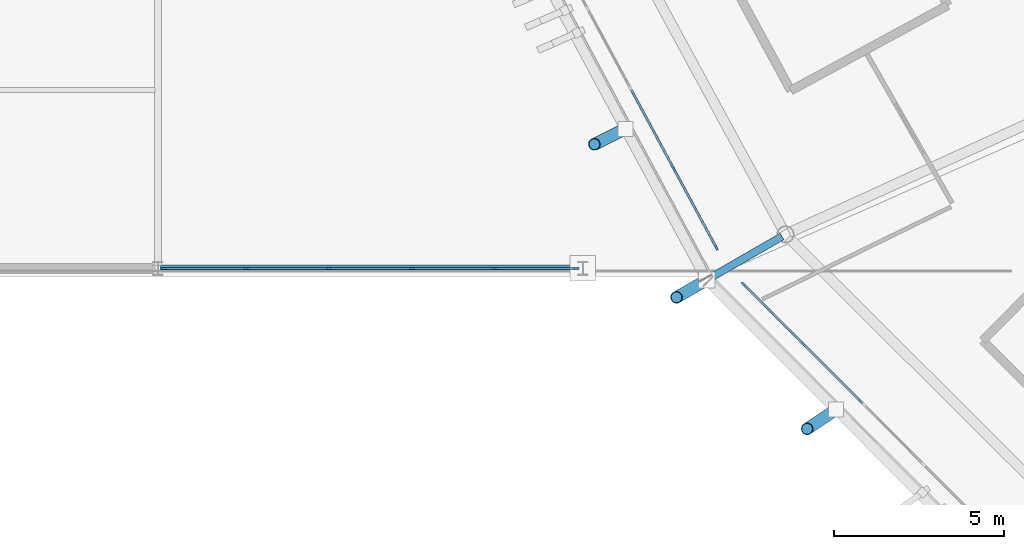
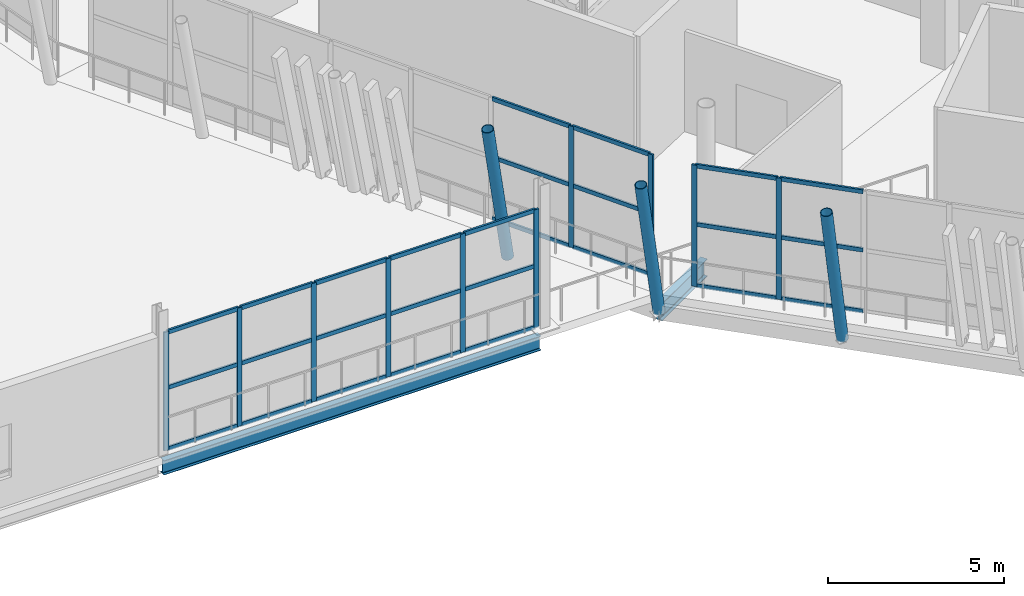
# One storey, part 27 of 179: 40 members, 2 beams, 3 elements without a shape of their own.
"""IFC4 building model written with IfcOpenShell, lengths in metres."""

from ifc_helpers import new_model, si_unit, direction, frame, origin, origin_2d, place, context, subcontext, project, spatial, rectangle, hollow_circle, i_section, extrude, material, material_profile, profile_set, type_object, element, aggregate, save


model = new_model("IFC4")

# Units and contexts
model_context = context("Model", 3, precision=1e-05, world=origin(), true_north=direction((0.0, 1.0)))
body_context = subcontext(model_context, "Body", "Model", "MODEL_VIEW")
ifc_project = project(units=[si_unit("LENGTHUNIT", "METRE"), si_unit("AREAUNIT", "SQUARE_METRE"), si_unit("VOLUMEUNIT", "CUBIC_METRE"), si_unit("PLANEANGLEUNIT", "RADIAN"), si_unit("MASSUNIT", "GRAM", prefix="KILO")], contexts=[model_context])

# Site, building, storey
site_placement = place(None, origin())
site = spatial("IfcSite", under=ifc_project, at=site_placement, CompositionType="ELEMENT")
building_placement = place(site_placement, origin())
building = spatial("IfcBuilding", under=site, at=building_placement, Name="Zlatoyarsky Gate Stadium", CompositionType="ELEMENT")
storey_placement = place(building_placement, frame((0.0, 0.0, 10.60009765625)))
storey = spatial("IfcBuildingStorey", under=building, at=storey_placement, Name="L02", CompositionType="ELEMENT", Elevation=10.60009765625)

# Curtain wall, members
ifc_material_1 = material(Name="Thermally broken anodised aluminium curtain wall", Category="aluminium")
curtain_wall_type_1 = type_object("IfcCurtainWallType", Name="UNITISED HOSPITALITY GLAZING L02", PredefinedType="USERDEFINED", material=ifc_material_1)
curtain_wall_1_placement = place(storey_placement, origin())
curtain_wall_1 = element("IfcCurtainWall", 1, at=curtain_wall_1_placement, inside=storey, type_object=curtain_wall_type_1, Name="Curtain wall CW-L02-13", ObjectType="UNITISED GLAZING", PredefinedType="USERDEFINED")
ifc_material_2 = material(Name="Anodised aluminium 6063-T6", Category="aluminium")
ifc_material_profile_1 = material_profile(ifc_material_2, rectangle(XDim=0.06494140625, YDim=0.159912109375, at=origin_2d()), Name="ALU 65X160")
ifc_profile_set_1 = profile_set([ifc_material_profile_1], Name="Anodised aluminium 6063-T6")
member_type_1 = type_object("IfcMemberType", Name="ALUMINIUM MULLION 65X160", PredefinedType="MULLION", material=ifc_profile_set_1)
member_1_placement = place(storey_placement, frame((27.1728515625, 46.43505859375, 0.0), z_axis=(0.0, 0.0, 1.0), x_axis=(0.880235853856, 0.474536449165, 0.0)))
member_1 = element("IfcMember", 2, at=member_1_placement, type_object=member_type_1, Name="CW-UG2 mullion 7", PredefinedType="MULLION", context=body_context, shape_type="SweptSolid", body=[
    extrude(rectangle(XDim=0.06494140625, YDim=0.159912109375, at=origin_2d()), origin(), (0.0, 0.0, 1.0), 4.199951171875),
])
member_2_placement = place(storey_placement, frame((28.424560546875, 44.11279296875, 0.0), z_axis=(0.0, 0.0, 1.0), x_axis=(0.880235853856, 0.474536449165, 0.0)))
member_2 = element("IfcMember", 3, at=member_2_placement, type_object=member_type_1, Name="CW-UG2 mullion 8", PredefinedType="MULLION", context=body_context, shape_type="SweptSolid", body=[
    extrude(rectangle(XDim=0.06494140625, YDim=0.159912109375, at=origin_2d()), origin(), (0.0, 0.0, 1.0), 4.199951171875),
])

curtain_wall_2_placement = place(storey_placement, origin())
curtain_wall_2 = element("IfcCurtainWall", 4, at=curtain_wall_2_placement, inside=storey, type_object=curtain_wall_type_1, Name="Curtain wall CW-L02-14", ObjectType="UNITISED GLAZING", PredefinedType="USERDEFINED")
member_3_placement = place(storey_placement, frame((29.230712890625, 43.029296875, 0.0), z_axis=(0.0, 0.0, 1.0), x_axis=(0.707587678066, 0.706625557031, 0.0)))
member_3 = element("IfcMember", 5, at=member_3_placement, type_object=member_type_1, Name="CW-UG2 mullion 1", PredefinedType="MULLION", context=body_context, shape_type="SweptSolid", body=[
    extrude(rectangle(XDim=0.06494140625, YDim=0.159912109375, at=origin_2d()), origin(), (0.0, 0.0, 1.0), 4.199951171875),
])
member_4_placement = place(storey_placement, frame((30.979736328125, 41.27783203125, 0.0), z_axis=(0.0, 0.0, 1.0), x_axis=(0.707587678066, 0.706625557031, 0.0)))
member_4 = element("IfcMember", 6, at=member_4_placement, type_object=member_type_1, Name="CW-UG2 mullion 2", PredefinedType="MULLION", context=body_context, shape_type="SweptSolid", body=[
    extrude(rectangle(XDim=0.06494140625, YDim=0.159912109375, at=origin_2d()), origin(), (0.0, 0.0, 1.0), 4.199951171875),
])

curtain_wall_type_2 = type_object("IfcCurtainWallType", Name="WINTER GARDEN CONSERVATORY GLAZING", PredefinedType="USERDEFINED", material=ifc_material_1)
curtain_wall_3_placement = place(storey_placement, origin())
curtain_wall_3 = element("IfcCurtainWall", 7, at=curtain_wall_3_placement, inside=storey, type_object=curtain_wall_type_2, Name="Curtain wall CW-V4_WEST-L02-175", ObjectType="UNITISED GLAZING", PredefinedType="USERDEFINED")
member_5_placement = place(storey_placement, frame((12.194580078125, 43.5, 0.0), z_axis=(0.0, 0.0, 1.0), x_axis=(0.0, 1.0, 0.0)))
member_5 = element("IfcMember", 8, at=member_5_placement, type_object=member_type_1, Name="CW-WG1 mullion 1", PredefinedType="MULLION", context=body_context, shape_type="SweptSolid", body=[
    extrude(rectangle(XDim=0.06494140625, YDim=0.159912109375, at=origin_2d()), origin(), (0.0, 0.0, 1.0), 4.099853515625),
])
member_6_placement = place(storey_placement, frame((14.59716796875, 43.5, 0.0), z_axis=(0.0, 0.0, 1.0), x_axis=(0.0, 1.0, 0.0)))
member_6 = element("IfcMember", 9, at=member_6_placement, type_object=member_type_1, Name="CW-WG1 mullion 2", PredefinedType="MULLION", context=body_context, shape_type="SweptSolid", body=[
    extrude(rectangle(XDim=0.06494140625, YDim=0.159912109375, at=origin_2d()), origin(), (0.0, 0.0, 1.0), 4.099853515625),
])
member_7_placement = place(storey_placement, frame((17.032470703125, 43.5, 0.0), z_axis=(0.0, 0.0, 1.0), x_axis=(0.0, 1.0, 0.0)))
member_7 = element("IfcMember", 10, at=member_7_placement, type_object=member_type_1, Name="CW-WG1 mullion 3", PredefinedType="MULLION", context=body_context, shape_type="SweptSolid", body=[
    extrude(rectangle(XDim=0.06494140625, YDim=0.159912109375, at=origin_2d()), origin(), (0.0, 0.0, 1.0), 4.099853515625),
])
member_8_placement = place(storey_placement, frame((19.467529296875, 43.5, 0.0), z_axis=(0.0, 0.0, 1.0), x_axis=(0.0, 1.0, 0.0)))
member_8 = element("IfcMember", 11, at=member_8_placement, type_object=member_type_1, Name="CW-WG1 mullion 4", PredefinedType="MULLION", context=body_context, shape_type="SweptSolid", body=[
    extrude(rectangle(XDim=0.06494140625, YDim=0.159912109375, at=origin_2d()), origin(), (0.0, 0.0, 1.0), 4.099853515625),
])
member_9_placement = place(storey_placement, frame((21.90283203125, 43.5, 0.0), z_axis=(0.0, 0.0, 1.0), x_axis=(0.0, 1.0, 0.0)))
member_9 = element("IfcMember", 12, at=member_9_placement, type_object=member_type_1, Name="CW-WG1 mullion 5", PredefinedType="MULLION", context=body_context, shape_type="SweptSolid", body=[
    extrude(rectangle(XDim=0.06494140625, YDim=0.159912109375, at=origin_2d()), origin(), (0.0, 0.0, 1.0), 4.099853515625),
])
member_10_placement = place(storey_placement, frame((24.305419921875, 43.5, 0.0), z_axis=(0.0, 0.0, 1.0), x_axis=(0.0, 1.0, 0.0)))
member_10 = element("IfcMember", 13, at=member_10_placement, type_object=member_type_1, Name="CW-WG1 mullion 6", PredefinedType="MULLION", context=body_context, shape_type="SweptSolid", body=[
    extrude(rectangle(XDim=0.06494140625, YDim=0.159912109375, at=origin_2d()), origin(), (0.0, 0.0, 1.0), 4.099853515625),
])

# Member
ifc_material_profile_2 = material_profile(ifc_material_2, rectangle(XDim=0.06494140625, YDim=0.139892578125, at=origin_2d()), Name="ALU 65X140")
ifc_profile_set_2 = profile_set([ifc_material_profile_2], Name="Anodised aluminium 6063-T6")
member_type_2 = type_object("IfcMemberType", Name="ALUMINIUM TRANSOM 65X140", PredefinedType="USERDEFINED", material=ifc_profile_set_2)
member_11_placement = place(storey_placement, frame((25.9208984375, 48.75732421875, 0.032470703125), z_axis=(0.47451326859, -0.880248350145, 0.0), x_axis=(0.880248350145, 0.47451326859, 0.0)))
member_11 = element("IfcMember", 14, at=member_11_placement, type_object=member_type_2, Name="CW-UG2 transom 6.1", ObjectType="TRANSOM", PredefinedType="USERDEFINED", context=body_context, shape_type="SweptSolid", body=[
    extrude(rectangle(XDim=0.06494140625, YDim=0.139892578125, at=origin_2d()), origin(), (0.0, 0.0, 1.0), 2.60546875),
])

member_12_placement = place(storey_placement, frame((25.9208984375, 48.75732421875, 2.14990234375), z_axis=(0.47451326859, -0.880248350145, 0.0), x_axis=(0.880248350145, 0.47451326859, 0.0)))
member_12 = element("IfcMember", 15, at=member_12_placement, type_object=member_type_2, Name="CW-UG2 transom 6.2", ObjectType="TRANSOM", PredefinedType="USERDEFINED", context=body_context, shape_type="SweptSolid", body=[
    extrude(rectangle(XDim=0.06494140625, YDim=0.139892578125, at=origin_2d()), origin(), (0.0, 0.0, 1.0), 2.60546875),
])

member_13_placement = place(storey_placement, frame((25.9208984375, 48.75732421875, 4.16748046875), z_axis=(0.47451326859, -0.880248350145, 0.0), x_axis=(0.880248350145, 0.47451326859, 0.0)))
member_13 = element("IfcMember", 16, at=member_13_placement, type_object=member_type_2, Name="CW-UG2 transom 6.3", ObjectType="TRANSOM", PredefinedType="USERDEFINED", context=body_context, shape_type="SweptSolid", body=[
    extrude(rectangle(XDim=0.06494140625, YDim=0.139892578125, at=origin_2d()), origin(), (0.0, 0.0, 1.0), 2.60546875),
])

member_14_placement = place(storey_placement, frame((27.188232421875, 46.406494140625, 0.032470703125), z_axis=(0.474518480893, -0.880245540341, 0.0), x_axis=(0.880245540341, 0.474518480893, 0.0)))
member_14 = element("IfcMember", 17, at=member_14_placement, type_object=member_type_2, Name="CW-UG2 transom 7.1", ObjectType="TRANSOM", PredefinedType="USERDEFINED", context=body_context, shape_type="SweptSolid", body=[
    extrude(rectangle(XDim=0.06494140625, YDim=0.139892578125, at=origin_2d()), origin(), (0.0, 0.0, 1.0), 2.572998046875),
])

member_15_placement = place(storey_placement, frame((27.188232421875, 46.406494140625, 2.14990234375), z_axis=(0.474518480893, -0.880245540341, 0.0), x_axis=(0.880245540341, 0.474518480893, 0.0)))
member_15 = element("IfcMember", 18, at=member_15_placement, type_object=member_type_2, Name="CW-UG2 transom 7.2", ObjectType="TRANSOM", PredefinedType="USERDEFINED", context=body_context, shape_type="SweptSolid", body=[
    extrude(rectangle(XDim=0.06494140625, YDim=0.139892578125, at=origin_2d()), origin(), (0.0, 0.0, 1.0), 2.572998046875),
])

member_16_placement = place(storey_placement, frame((27.188232421875, 46.406494140625, 4.16748046875), z_axis=(0.474518480893, -0.880245540341, 0.0), x_axis=(0.880245540341, 0.474518480893, 0.0)))
member_16 = element("IfcMember", 19, at=member_16_placement, type_object=member_type_2, Name="CW-UG2 transom 7.3", ObjectType="TRANSOM", PredefinedType="USERDEFINED", context=body_context, shape_type="SweptSolid", body=[
    extrude(rectangle(XDim=0.06494140625, YDim=0.139892578125, at=origin_2d()), origin(), (0.0, 0.0, 1.0), 2.572998046875),
])

aggregate(curtain_wall_1, [member_1, member_2, member_11, member_12, member_13, member_14, member_15, member_16])

member_17_placement = place(storey_placement, frame((29.253662109375, 43.006103515625, 0.032470703125), z_axis=(0.706701446359, -0.707511883797, 0.0), x_axis=(0.707511883797, 0.706701446359, 0.0)))
member_17 = element("IfcMember", 20, at=member_17_placement, type_object=member_type_2, Name="CW-UG2 transom 1.1", ObjectType="TRANSOM", PredefinedType="USERDEFINED", context=body_context, shape_type="SweptSolid", body=[
    extrude(rectangle(XDim=0.06494140625, YDim=0.139892578125, at=origin_2d()), origin(), (0.0, 0.0, 1.0), 2.409912109375),
])

member_18_placement = place(storey_placement, frame((29.253662109375, 43.006103515625, 2.14990234375), z_axis=(0.706701446359, -0.707511883797, 0.0), x_axis=(0.707511883797, 0.706701446359, 0.0)))
member_18 = element("IfcMember", 21, at=member_18_placement, type_object=member_type_2, Name="CW-UG2 transom 1.2", ObjectType="TRANSOM", PredefinedType="USERDEFINED", context=body_context, shape_type="SweptSolid", body=[
    extrude(rectangle(XDim=0.06494140625, YDim=0.139892578125, at=origin_2d()), origin(), (0.0, 0.0, 1.0), 2.409912109375),
])

member_19_placement = place(storey_placement, frame((29.253662109375, 43.006103515625, 4.16748046875), z_axis=(0.706701446359, -0.707511883797, 0.0), x_axis=(0.707511883797, 0.706701446359, 0.0)))
member_19 = element("IfcMember", 22, at=member_19_placement, type_object=member_type_2, Name="CW-UG2 transom 1.3", ObjectType="TRANSOM", PredefinedType="USERDEFINED", context=body_context, shape_type="SweptSolid", body=[
    extrude(rectangle(XDim=0.06494140625, YDim=0.139892578125, at=origin_2d()), origin(), (0.0, 0.0, 1.0), 2.409912109375),
])

member_20_placement = place(storey_placement, frame((31.002685546875, 41.2548828125, 0.032470703125), z_axis=(0.706606811932, -0.707606397181, 0.0), x_axis=(0.707606397181, 0.706606811932, 0.0)))
member_20 = element("IfcMember", 23, at=member_20_placement, type_object=member_type_2, Name="CW-UG2 transom 2.1", ObjectType="TRANSOM", PredefinedType="USERDEFINED", context=body_context, shape_type="SweptSolid", body=[
    extrude(rectangle(XDim=0.06494140625, YDim=0.139892578125, at=origin_2d()), origin(), (0.0, 0.0, 1.0), 2.4423828125),
])

member_21_placement = place(storey_placement, frame((31.002685546875, 41.2548828125, 2.14990234375), z_axis=(0.706606811932, -0.707606397181, 0.0), x_axis=(0.707606397181, 0.706606811932, 0.0)))
member_21 = element("IfcMember", 24, at=member_21_placement, type_object=member_type_2, Name="CW-UG2 transom 2.2", ObjectType="TRANSOM", PredefinedType="USERDEFINED", context=body_context, shape_type="SweptSolid", body=[
    extrude(rectangle(XDim=0.06494140625, YDim=0.139892578125, at=origin_2d()), origin(), (0.0, 0.0, 1.0), 2.4423828125),
])

member_22_placement = place(storey_placement, frame((31.002685546875, 41.2548828125, 4.16748046875), z_axis=(0.706606811932, -0.707606397181, 0.0), x_axis=(0.707606397181, 0.706606811932, 0.0)))
member_22 = element("IfcMember", 25, at=member_22_placement, type_object=member_type_2, Name="CW-UG2 transom 2.3", ObjectType="TRANSOM", PredefinedType="USERDEFINED", context=body_context, shape_type="SweptSolid", body=[
    extrude(rectangle(XDim=0.06494140625, YDim=0.139892578125, at=origin_2d()), origin(), (0.0, 0.0, 1.0), 2.4423828125),
])

aggregate(curtain_wall_2, [member_3, member_4, member_17, member_18, member_19, member_20, member_21, member_22])

member_23_placement = place(storey_placement, frame((12.22705078125, 43.5, 0.032470703125), z_axis=(1.0, 0.0, 0.0), x_axis=(0.0, 1.0, 0.0)))
member_23 = element("IfcMember", 26, at=member_23_placement, type_object=member_type_2, Name="CW-WG1 transom 1.1", ObjectType="TRANSOM", PredefinedType="USERDEFINED", context=body_context, shape_type="SweptSolid", body=[
    extrude(rectangle(XDim=0.06494140625, YDim=0.139892578125, at=origin_2d()), origin(), (0.0, 0.0, 1.0), 2.337646484375),
])

member_24_placement = place(storey_placement, frame((12.22705078125, 43.5, 2.14990234375), z_axis=(1.0, 0.0, 0.0), x_axis=(0.0, 1.0, 0.0)))
member_24 = element("IfcMember", 27, at=member_24_placement, type_object=member_type_2, Name="CW-WG1 transom 1.2", ObjectType="TRANSOM", PredefinedType="USERDEFINED", context=body_context, shape_type="SweptSolid", body=[
    extrude(rectangle(XDim=0.06494140625, YDim=0.139892578125, at=origin_2d()), origin(), (0.0, 0.0, 1.0), 2.337646484375),
])

member_25_placement = place(storey_placement, frame((12.22705078125, 43.5, 4.0673828125), z_axis=(1.0, 0.0, 0.0), x_axis=(0.0, 1.0, 0.0)))
member_25 = element("IfcMember", 28, at=member_25_placement, type_object=member_type_2, Name="CW-WG1 transom 1.3", ObjectType="TRANSOM", PredefinedType="USERDEFINED", context=body_context, shape_type="SweptSolid", body=[
    extrude(rectangle(XDim=0.06494140625, YDim=0.139892578125, at=origin_2d()), origin(), (0.0, 0.0, 1.0), 2.337646484375),
])

member_26_placement = place(storey_placement, frame((14.629638671875, 43.5, 0.032470703125), z_axis=(1.0, 0.0, 0.0), x_axis=(0.0, 1.0, 0.0)))
member_26 = element("IfcMember", 29, at=member_26_placement, type_object=member_type_2, Name="CW-WG1 transom 2.1", ObjectType="TRANSOM", PredefinedType="USERDEFINED", context=body_context, shape_type="SweptSolid", body=[
    extrude(rectangle(XDim=0.06494140625, YDim=0.139892578125, at=origin_2d()), origin(), (0.0, 0.0, 1.0), 2.370361328125),
])

member_27_placement = place(storey_placement, frame((14.629638671875, 43.5, 2.14990234375), z_axis=(1.0, 0.0, 0.0), x_axis=(0.0, 1.0, 0.0)))
member_27 = element("IfcMember", 30, at=member_27_placement, type_object=member_type_2, Name="CW-WG1 transom 2.2", ObjectType="TRANSOM", PredefinedType="USERDEFINED", context=body_context, shape_type="SweptSolid", body=[
    extrude(rectangle(XDim=0.06494140625, YDim=0.139892578125, at=origin_2d()), origin(), (0.0, 0.0, 1.0), 2.370361328125),
])

member_28_placement = place(storey_placement, frame((14.629638671875, 43.5, 4.0673828125), z_axis=(1.0, 0.0, 0.0), x_axis=(0.0, 1.0, 0.0)))
member_28 = element("IfcMember", 31, at=member_28_placement, type_object=member_type_2, Name="CW-WG1 transom 2.3", ObjectType="TRANSOM", PredefinedType="USERDEFINED", context=body_context, shape_type="SweptSolid", body=[
    extrude(rectangle(XDim=0.06494140625, YDim=0.139892578125, at=origin_2d()), origin(), (0.0, 0.0, 1.0), 2.370361328125),
])

member_29_placement = place(storey_placement, frame((17.06494140625, 43.5, 0.032470703125), z_axis=(1.0, 0.0, 0.0), x_axis=(0.0, 1.0, 0.0)))
member_29 = element("IfcMember", 32, at=member_29_placement, type_object=member_type_2, Name="CW-WG1 transom 3.1", ObjectType="TRANSOM", PredefinedType="USERDEFINED", context=body_context, shape_type="SweptSolid", body=[
    extrude(rectangle(XDim=0.06494140625, YDim=0.139892578125, at=origin_2d()), origin(), (0.0, 0.0, 1.0), 2.3701171875),
])

member_30_placement = place(storey_placement, frame((17.06494140625, 43.5, 2.14990234375), z_axis=(1.0, 0.0, 0.0), x_axis=(0.0, 1.0, 0.0)))
member_30 = element("IfcMember", 33, at=member_30_placement, type_object=member_type_2, Name="CW-WG1 transom 3.2", ObjectType="TRANSOM", PredefinedType="USERDEFINED", context=body_context, shape_type="SweptSolid", body=[
    extrude(rectangle(XDim=0.06494140625, YDim=0.139892578125, at=origin_2d()), origin(), (0.0, 0.0, 1.0), 2.3701171875),
])

member_31_placement = place(storey_placement, frame((17.06494140625, 43.5, 4.0673828125), z_axis=(1.0, 0.0, 0.0), x_axis=(0.0, 1.0, 0.0)))
member_31 = element("IfcMember", 34, at=member_31_placement, type_object=member_type_2, Name="CW-WG1 transom 3.3", ObjectType="TRANSOM", PredefinedType="USERDEFINED", context=body_context, shape_type="SweptSolid", body=[
    extrude(rectangle(XDim=0.06494140625, YDim=0.139892578125, at=origin_2d()), origin(), (0.0, 0.0, 1.0), 2.3701171875),
])

member_32_placement = place(storey_placement, frame((19.5, 43.5, 0.032470703125), z_axis=(1.0, 0.0, 0.0), x_axis=(0.0, 1.0, 0.0)))
member_32 = element("IfcMember", 35, at=member_32_placement, type_object=member_type_2, Name="CW-WG1 transom 4.1", ObjectType="TRANSOM", PredefinedType="USERDEFINED", context=body_context, shape_type="SweptSolid", body=[
    extrude(rectangle(XDim=0.06494140625, YDim=0.139892578125, at=origin_2d()), origin(), (0.0, 0.0, 1.0), 2.370361328125),
])

member_33_placement = place(storey_placement, frame((19.5, 43.5, 2.14990234375), z_axis=(1.0, 0.0, 0.0), x_axis=(0.0, 1.0, 0.0)))
member_33 = element("IfcMember", 36, at=member_33_placement, type_object=member_type_2, Name="CW-WG1 transom 4.2", ObjectType="TRANSOM", PredefinedType="USERDEFINED", context=body_context, shape_type="SweptSolid", body=[
    extrude(rectangle(XDim=0.06494140625, YDim=0.139892578125, at=origin_2d()), origin(), (0.0, 0.0, 1.0), 2.370361328125),
])

member_34_placement = place(storey_placement, frame((19.5, 43.5, 4.0673828125), z_axis=(1.0, 0.0, 0.0), x_axis=(0.0, 1.0, 0.0)))
member_34 = element("IfcMember", 37, at=member_34_placement, type_object=member_type_2, Name="CW-WG1 transom 4.3", ObjectType="TRANSOM", PredefinedType="USERDEFINED", context=body_context, shape_type="SweptSolid", body=[
    extrude(rectangle(XDim=0.06494140625, YDim=0.139892578125, at=origin_2d()), origin(), (0.0, 0.0, 1.0), 2.370361328125),
])

member_35_placement = place(storey_placement, frame((21.935302734375, 43.5, 0.032470703125), z_axis=(1.0, 0.0, 0.0), x_axis=(0.0, 1.0, 0.0)))
member_35 = element("IfcMember", 38, at=member_35_placement, type_object=member_type_2, Name="CW-WG1 transom 5.1", ObjectType="TRANSOM", PredefinedType="USERDEFINED", context=body_context, shape_type="SweptSolid", body=[
    extrude(rectangle(XDim=0.06494140625, YDim=0.139892578125, at=origin_2d()), origin(), (0.0, 0.0, 1.0), 2.337646484375),
])

member_36_placement = place(storey_placement, frame((21.935302734375, 43.5, 2.14990234375), z_axis=(1.0, 0.0, 0.0), x_axis=(0.0, 1.0, 0.0)))
member_36 = element("IfcMember", 39, at=member_36_placement, type_object=member_type_2, Name="CW-WG1 transom 5.2", ObjectType="TRANSOM", PredefinedType="USERDEFINED", context=body_context, shape_type="SweptSolid", body=[
    extrude(rectangle(XDim=0.06494140625, YDim=0.139892578125, at=origin_2d()), origin(), (0.0, 0.0, 1.0), 2.337646484375),
])

member_37_placement = place(storey_placement, frame((21.935302734375, 43.5, 4.0673828125), z_axis=(1.0, 0.0, 0.0), x_axis=(0.0, 1.0, 0.0)))
member_37 = element("IfcMember", 40, at=member_37_placement, type_object=member_type_2, Name="CW-WG1 transom 5.3", ObjectType="TRANSOM", PredefinedType="USERDEFINED", context=body_context, shape_type="SweptSolid", body=[
    extrude(rectangle(XDim=0.06494140625, YDim=0.139892578125, at=origin_2d()), origin(), (0.0, 0.0, 1.0), 2.337646484375),
])

aggregate(curtain_wall_3, [member_5, member_6, member_7, member_8, member_9, member_10, member_23, member_24, member_25, member_26, member_27, member_28, member_29, member_30, member_31, member_32, member_33, member_34, member_35, member_36, member_37])

# Beams
ifc_material_3 = material(Name="Steel S355", Category="steel")
ifc_material_profile_3 = material_profile(ifc_material_3, i_section(OverallWidth=0.219970703125, OverallDepth=0.60009765625, WebThickness=0.011962890625, FlangeThickness=0.01904296875, FilletRadius=0.02392578125, at=origin_2d()), Name="IPE 600")
ifc_profile_set_3 = profile_set([ifc_material_profile_3], Name="Steel S355")
beam_type_1 = type_object("IfcBeamType", Name="STEEL CANTILEVER FLOOR BEAM IPE 600", PredefinedType="BEAM", material=ifc_profile_set_3)
beam_1_placement = place(storey_placement, frame((30.355712890625, 44.43994140625, -0.580078125), z_axis=(-0.866059933153, -0.49994018861, 0.0), x_axis=(0.49994018861, -0.866059933153, 0.0)))
element("IfcBeam", 41, at=beam_1_placement, inside=storey, type_object=beam_type_1, Name="Beam B-IPE600 BM-L02-OUT-14", PredefinedType="BEAM", context=body_context, shape_type="SweptSolid", body=[
    extrude(i_section(OverallWidth=0.219970703125, OverallDepth=0.60009765625, WebThickness=0.011962890625, FlangeThickness=0.01904296875, FilletRadius=0.02392578125, at=origin_2d()), origin(), (0.0, 0.0, 1.0), 2.555908203125),
])
ifc_material_profile_4 = material_profile(ifc_material_3, i_section(OverallWidth=0.199951171875, OverallDepth=0.5, WebThickness=0.01025390625, FlangeThickness=0.01611328125, FilletRadius=0.02099609375, at=origin_2d()), Name="IPE 500")
ifc_profile_set_4 = profile_set([ifc_material_profile_4], Name="Steel S355")
beam_type_2 = type_object("IfcBeamType", Name="STEEL FLOOR BEAM IPE 500", PredefinedType="BEAM", material=ifc_profile_set_4)
beam_2_placement = place(storey_placement, frame((12.080078125, 43.5, -0.530029296875), z_axis=(1.0, 0.0, 0.0), x_axis=(0.0, 1.0, 0.0)))
element("IfcBeam", 42, at=beam_2_placement, inside=storey, type_object=beam_type_2, Name="Beam B-IPE500 BM-L02-WGX-2-E", PredefinedType="BEAM", context=body_context, shape_type="SweptSolid", body=[
    extrude(i_section(OverallWidth=0.199951171875, OverallDepth=0.5, WebThickness=0.01025390625, FlangeThickness=0.01611328125, FilletRadius=0.02099609375, at=origin_2d()), origin(), (0.0, 0.0, 1.0), 12.33984375),
])

# Members
ifc_material_profile_5 = material_profile(ifc_material_3, hollow_circle(Radius=0.177734375, WallThickness=0.02001953125, at=origin_2d()), Name="CHS 355.6X20")
ifc_profile_set_5 = profile_set([ifc_material_profile_5], Name="Steel S355")
member_type_3 = type_object("IfcMemberType", Name="STEEL LEANING RIB RING STRUT CHS 355.6X20", PredefinedType="STRUT", material=ifc_profile_set_5)
member_38_placement = place(storey_placement, frame((28.14208984375, 43.162109375, -0.580078125), z_axis=(-0.174105212387, -0.100540977043, 0.97958097519), x_axis=(0.500079402778, -0.865979555715, 0.0)))
element("IfcMember", 43, at=member_38_placement, inside=storey, type_object=member_type_3, Name="Leaning ring strut 14 L02 to L03", PredefinedType="STRUT", context=body_context, shape_type="SweptSolid", body=[
    extrude(hollow_circle(Radius=0.177734375, WallThickness=0.02001953125, at=origin_2d()), origin(), (0.0, 0.0, 1.0), 5.104248046875),
])
for number, where, z_axis, x_axis, name in (
    (44, (25.752685546875, 47.6044921875, -0.530029296875), (-0.179219737902, -0.088461637848, 0.979823874059), (0.442611615959, -0.896713419894, 0.0), "Outward-leaning bowl louvre fin rib L02 13-3"),
    (45, (31.943359375, 39.347412109375, -0.530029296875), (-0.166206497917, -0.110995703848, 0.979824144312), (0.555362920217, -0.831608096911, 0.0), "Outward-leaning bowl louvre fin rib L02 14-1"),
):
    element("IfcMember", number, at=place(storey_placement, frame(where, z_axis=z_axis, x_axis=x_axis)), inside=storey, type_object=member_type_3, Name=name, PredefinedType="STRUT", context=body_context, shape_type="SweptSolid", body=[
        extrude(hollow_circle(Radius=0.177734375, WallThickness=0.02001953125, at=origin_2d()), origin(), (0.0, 0.0, 1.0), 5.10302734375),
    ])

save(model, "model.ifc")
